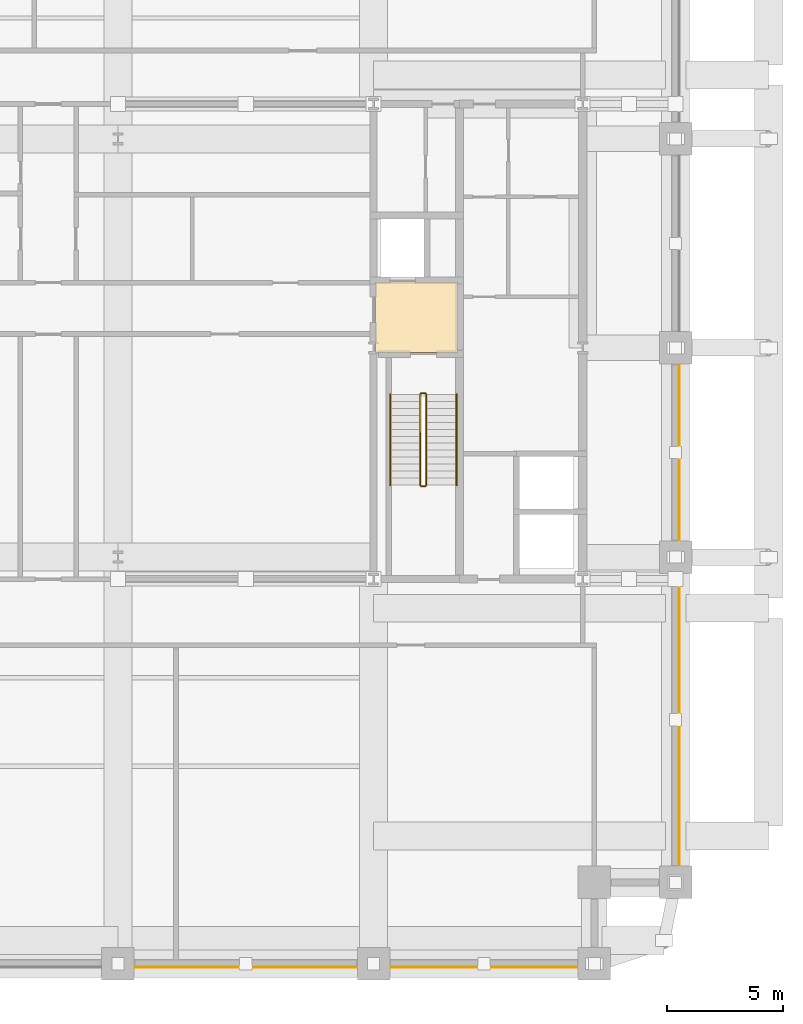
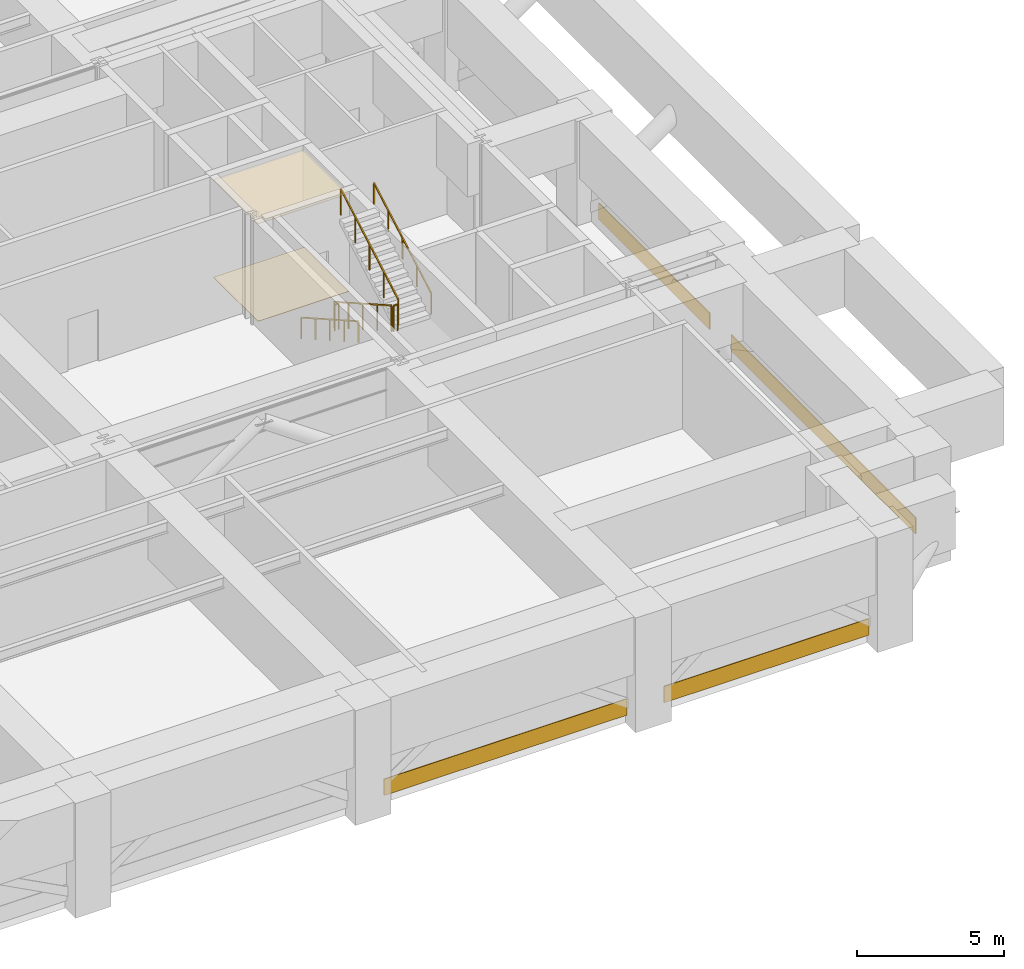
# One storey, part 9 of 10: 6 coverings, 6 railings.
"""IFC4 building model written with IfcOpenShell, lengths in metres."""

import ifcopenshell
import ifcopenshell.guid

model = None  # the IFC model being written
_history = None  # IfcOwnerHistory: only IFC2X3 demands one
_inside = {}  # id of a spatial element -> (the spatial element, [elements in it])
_under = {}  # id of a project, library or spatial element -> (it, [spatial elements below it])
_declared = {}  # id of a project -> (the project, [libraries it declares])
_typed = {}  # id of a type object -> (the type object, [elements of that type])
_made_of = {}  # id of a material, layer set ... -> (it, [elements and type objects made of it])


def new_model(schema):
    """Start an empty IFC model of exactly this schema.

    Asked for "IFC4X3", IfcOpenShell would pick the latest addendum, in which some entities
    have other attributes; the version numbers below select the first issue.
    IFC2X3 requires an IfcOwnerHistory on every rooted entity: one is made here for all.
    """
    global model, _history
    if schema == "IFC4X3":
        model = ifcopenshell.file(schema_version=(4, 3, 0, 0))
    else:
        model = ifcopenshell.file(schema=schema)
    _inside.clear()
    _under.clear()
    _declared.clear()
    _typed.clear()
    _made_of.clear()
    _history = None
    if model.schema == "IFC2X3":
        org = make("IfcOrganization", Name="unknown")
        user = make(
            "IfcPersonAndOrganization",
            ThePerson=make("IfcPerson", FamilyName="unknown"),
            TheOrganization=org,
        )
        app = make(
            "IfcApplication",
            ApplicationDeveloper=org,
            Version="unknown",
            ApplicationFullName="unknown",
            ApplicationIdentifier="unknown",
        )
        _history = make(
            "IfcOwnerHistory",
            OwningUser=user,
            OwningApplication=app,
            ChangeAction="ADDED",
            CreationDate=0,
        )
    return model


def make(cls, **values):
    """One entity of the class cls with the attributes given. An attribute that is None is left unset."""
    return model.create_entity(
        cls, **{name: value for name, value in values.items() if value is not None}
    )


def rooted(cls, **values):
    """An entity with a GlobalId (a new one), such as an element, a storey or a relation."""
    return make(cls, GlobalId=ifcopenshell.guid.new(), OwnerHistory=_history, **values)


def si_unit(unit_type, name, prefix=None):
    """IfcSIUnit, for example si_unit("LENGTHUNIT", "METRE", prefix="MILLI")."""
    return make("IfcSIUnit", UnitType=unit_type, Prefix=prefix, Name=name)


def assignment(units):
    """IfcUnitAssignment: the units of a project."""
    return None if units is None else make("IfcUnitAssignment", Units=units)


def point(xyz):
    """IfcCartesianPoint."""
    return None if xyz is None else make("IfcCartesianPoint", Coordinates=xyz)


def direction(xyz):
    """IfcDirection."""
    return None if xyz is None else make("IfcDirection", DirectionRatios=xyz)


def frame(location, z_axis=None, x_axis=None):
    """IfcAxis2Placement3D, a coordinate frame: its origin and axes. An axis left out is left unset."""
    return make(
        "IfcAxis2Placement3D",
        Location=point(location),
        Axis=direction(z_axis),
        RefDirection=direction(x_axis),
    )


def frame_2d(location, x_axis=None):
    """IfcAxis2Placement2D, a coordinate frame in the plane: its origin and x axis."""
    return make(
        "IfcAxis2Placement2D", Location=point(location), RefDirection=direction(x_axis)
    )


def origin():
    """The frame at (0, 0, 0) with its axes left unset."""
    return frame((0.0, 0.0, 0.0))


def origin_2d():
    """The frame at (0, 0) in the plane with its x axis left unset."""
    return frame_2d((0.0, 0.0))


def place(relative_to, where):
    """IfcLocalPlacement: puts the frame where relative to a parent placement (None: the world)."""
    return make(
        "IfcLocalPlacement", PlacementRelTo=relative_to, RelativePlacement=where
    )


def context(
    kind, dimensions, precision=None, world=None, true_north=None, identifier=None
):
    """IfcGeometricRepresentationContext, for example the 3D "Model" context."""
    return make(
        "IfcGeometricRepresentationContext",
        ContextIdentifier=identifier,
        ContextType=kind,
        CoordinateSpaceDimension=dimensions,
        Precision=precision,
        WorldCoordinateSystem=world,
        TrueNorth=true_north,
    )


def subcontext(parent, identifier, kind, view, scale=None):
    """IfcGeometricRepresentationSubContext, for example "Body" below "Model"."""
    return make(
        "IfcGeometricRepresentationSubContext",
        ContextIdentifier=identifier,
        ContextType=kind,
        ParentContext=parent,
        TargetScale=scale,
        TargetView=view,
    )


def project(units=None, contexts=None):
    """IfcProject with its units and contexts."""
    return rooted(
        "IfcProject",
        Name="project",
        RepresentationContexts=contexts,
        UnitsInContext=assignment(units),
    )


def spatial(cls, under=None, at=None, **own):
    """A site, building, storey or space (cls), placed at a placement, below another one or the project."""
    s = rooted(cls, ObjectPlacement=at, **own)
    if under is not None:
        _under.setdefault(under.id(), (under, []))[1].append(s)
    return s


def polyline(points):
    """IfcPolyline through the points."""
    return make("IfcPolyline", Points=[point(p) for p in points])


def profile(cls, at=None, kind="AREA", **sizes):
    """A parametric profile (cls). Its sizes go by their IFC names, for example OverallWidth=200.0."""
    return make(cls, ProfileType=kind, Position=at, **sizes)


def rectangle(**sizes):
    """IfcRectangleProfileDef."""
    return profile("IfcRectangleProfileDef", **sizes)


def outline(outer, holes=None, kind="AREA"):
    """IfcArbitraryClosedProfileDef: a profile drawn as a closed curve; with holes, ...WithVoids."""
    if holes is None:
        return make("IfcArbitraryClosedProfileDef", ProfileType=kind, OuterCurve=outer)
    return make(
        "IfcArbitraryProfileDefWithVoids",
        ProfileType=kind,
        OuterCurve=outer,
        InnerCurves=holes,
    )


def extrude(swept, where, along, depth):
    """IfcExtrudedAreaSolid: the profile swept, set in the frame where, extruded along a direction by depth."""
    return make(
        "IfcExtrudedAreaSolid",
        SweptArea=swept,
        Position=where,
        ExtrudedDirection=direction(along),
        Depth=depth,
    )


def shape(context_of_items, identifier, shape_type, items):
    """IfcShapeRepresentation: the items that make up one representation, for example the "Body"."""
    return make(
        "IfcShapeRepresentation",
        ContextOfItems=context_of_items,
        RepresentationIdentifier=identifier,
        RepresentationType=shape_type,
        Items=items,
    )


def material(Name=None, Category=None):
    """IfcMaterial."""
    return make("IfcMaterial", Name=Name, Category=Category)


def layer(
    of_material, thickness, ventilated=None, Name=None, Category=None, Priority=None
):
    """IfcMaterialLayer: one layer of a wall or slab, of a material (None: an air gap)."""
    return make(
        "IfcMaterialLayer",
        Material=of_material,
        LayerThickness=thickness,
        IsVentilated=ventilated,
        Name=Name,
        Category=Category,
        Priority=Priority,
    )


def layer_set(layers, Name=None):
    """IfcMaterialLayerSet."""
    return make("IfcMaterialLayerSet", MaterialLayers=layers, LayerSetName=Name)


def made_of(thing, what):
    """Note that an element or type object is made of a material, layer set ...; save() writes the relation."""
    if what is not None:
        _made_of.setdefault(what.id(), (what, []))[1].append(thing)
    return thing


def type_object(cls, material=None, **own):
    """A type object (cls), such as IfcWallType, which elements share."""
    return made_of(rooted(cls, **own), material)


def element(
    cls,
    number,
    at=None,
    inside=None,
    cuts=None,
    type_object=None,
    material=None,
    context=None,
    identifier="Body",
    shape_type=None,
    held_by="IfcProductDefinitionShape",
    body=None,
    shapes=None,
    **own,
):
    """One element of the class cls, such as IfcWall. Its Tag is "e" and its number.

    at: its placement. inside: the storey or other place that contains it. cuts: it is an
    opening in that element (IfcRelVoidsElement). A single representation is given by context,
    identifier, shape_type and body (its items); several are given by shapes. held_by: the class
    of the entity that holds the representations. save() writes the other relations.
    """
    e = rooted(cls, Tag="e%d" % number, ObjectPlacement=at, **own)
    if body is not None:
        shapes = [shape(context, identifier, shape_type, body)]
    if shapes is not None:
        e.Representation = make(held_by, Representations=shapes)
    if inside is not None:
        _inside.setdefault(inside.id(), (inside, []))[1].append(e)
    if cuts is not None:
        rooted(
            "IfcRelVoidsElement", RelatingBuildingElement=cuts, RelatedOpeningElement=e
        )
    if type_object is not None:
        _typed.setdefault(type_object.id(), (type_object, []))[1].append(e)
    return made_of(e, material)


def aggregate(whole, parts):
    """IfcRelAggregates: a whole, such as a stair, and the parts it consists of."""
    return rooted("IfcRelAggregates", RelatingObject=whole, RelatedObjects=parts)


def save(model, path):
    """Write the relations noted so far, then the file.

    IfcRelAggregates (storeys below a building ...), IfcRelContainedInSpatialStructure (elements
    in a storey), IfcRelDefinesByType, IfcRelAssociatesMaterial and IfcRelDeclares: one each for
    every whole, place, type object, material and project.
    """
    for whole, parts in _under.values():
        aggregate(whole, parts)
    for where, things in _inside.values():
        rooted(
            "IfcRelContainedInSpatialStructure",
            RelatedElements=things,
            RelatingStructure=where,
        )
    for kind, things in _typed.values():
        rooted("IfcRelDefinesByType", RelatedObjects=things, RelatingType=kind)
    for what, things in _made_of.values():
        rooted("IfcRelAssociatesMaterial", RelatedObjects=things, RelatingMaterial=what)
    for by, libraries in _declared.values():
        rooted("IfcRelDeclares", RelatingContext=by, RelatedDefinitions=libraries)
    model.write(path)


model = new_model("IFC4")

# Units and contexts
model_context = context("Model", 3, precision=1e-05, world=origin(), true_north=direction((0.0, 1.0)))
body_context = subcontext(model_context, "Body", "Model", "MODEL_VIEW")
ifc_project = project(units=[si_unit("LENGTHUNIT", "METRE"), si_unit("AREAUNIT", "SQUARE_METRE"), si_unit("VOLUMEUNIT", "CUBIC_METRE"), si_unit("PLANEANGLEUNIT", "RADIAN"), si_unit("MASSUNIT", "GRAM", prefix="KILO")], contexts=[model_context])

# Site, building, storey
site_placement = place(None, origin())
site = spatial("IfcSite", under=ifc_project, at=site_placement, CompositionType="ELEMENT")
building_placement = place(site_placement, origin())
building = spatial("IfcBuilding", under=site, at=building_placement, Name="Zulmaris Gate Convention Tower", CompositionType="ELEMENT")
storey_placement = place(building_placement, frame((0.0, 0.0, 82.179931640625)))
storey = spatial("IfcBuildingStorey", under=building, at=storey_placement, Name="L20", CompositionType="ELEMENT", Elevation=82.179931640625)

# Coverings
ifc_material_1 = material(Name="Precast concrete C40/50", Category="concrete")
ifc_layer_1 = layer(ifc_material_1, 0.0400390625, Name="Precast concrete C40/50")
ifc_layer_set_1 = layer_set([ifc_layer_1], Name="Precast concrete C40/50")
covering_type_1 = type_object("IfcCoveringType", Name="CLAD-SPANDREL-PRECAST", PredefinedType="CLADDING", material=ifc_layer_set_1)
covering_1_placement = place(storey_placement, frame((0.72998046875, -26.64990234375, 0.0), z_axis=(0.0, 0.0, 1.0), x_axis=(1.0, 0.0, 0.0)))
element("IfcCovering", 1, at=covering_1_placement, inside=storey, type_object=covering_type_1, Name="CLD-L20-S-2_0", PredefinedType="CLADDING", context=body_context, shape_type="SweptSolid", body=[
    extrude(rectangle(XDim=9.5400390625, YDim=0.0400390625, at=frame_2d((4.77001953125, 0.0))), origin(), (0.0, 0.0, 1.0), 0.679931640625),
])
covering_2_placement = place(storey_placement, frame((11.72998046875, -26.64990234375, 0.0), z_axis=(0.0, 0.0, 1.0), x_axis=(1.0, 0.0, 0.0)))
element("IfcCovering", 2, at=covering_2_placement, inside=storey, type_object=covering_type_1, Name="CLD-L20-S-3_0", PredefinedType="CLADDING", context=body_context, shape_type="SweptSolid", body=[
    extrude(rectangle(XDim=8.0400390625, YDim=0.0400390625, at=frame_2d((4.02001953125, 0.0))), origin(), (0.0, 0.0, 1.0), 0.679931640625),
])
covering_3_placement = place(storey_placement, frame((24.14990234375, -22.27001953125, 0.0), z_axis=(0.0, 0.0, 1.0), x_axis=(0.0, 1.0, 0.0)))
element("IfcCovering", 3, at=covering_3_placement, inside=storey, type_object=covering_type_1, Name="CLD-L20-E-0_0", PredefinedType="CLADDING", context=body_context, shape_type="SweptSolid", body=[
    extrude(rectangle(XDim=12.5400390625, YDim=0.0400390625, at=frame_2d((6.27001953125, 0.0))), origin(), (0.0, 0.0, 1.0), 0.679931640625),
])
covering_4_placement = place(storey_placement, frame((24.14990234375, -8.27001953125, 0.0), z_axis=(0.0, 0.0, 1.0), x_axis=(0.0, 1.0, 0.0)))
element("IfcCovering", 4, at=covering_4_placement, inside=storey, type_object=covering_type_1, Name="CLD-L20-E-1_0", PredefinedType="CLADDING", context=body_context, shape_type="SweptSolid", body=[
    extrude(rectangle(XDim=7.5400390625, YDim=0.0400390625, at=frame_2d((3.77001953125, 0.0))), origin(), (0.0, 0.0, 1.0), 0.679931640625),
])
ifc_material_2 = material(Name="Mineral Fibre Acoustic Ceiling Tile")
ifc_layer_2 = layer(ifc_material_2, 0.02001953125, Name="Mineral Fibre Acoustic Ceiling Tile")
ifc_layer_set_2 = layer_set([ifc_layer_2], Name="Mineral Fibre Acoustic Ceiling Tile")
covering_type_2 = type_object("IfcCoveringType", Name="CLG-ACOUSTIC-600", PredefinedType="CEILING", material=ifc_layer_set_2)
covering_5_placement = place(storey_placement, frame((0.0, 0.0, 4.054931640625)))
element("IfcCovering", 5, at=covering_5_placement, inside=storey, type_object=covering_type_2, Name="CLG-L20-R08", PredefinedType="CEILING", context=body_context, shape_type="SweptSolid", body=[
    extrude(outline(polyline([(11.06005859375, -0.18994140625), (14.639892578125, -0.18994140625), (14.639892578125, 2.840087890625), (11.06005859375, 2.840087890625), (11.06005859375, -0.18994140625)])), origin(), (0.0, 0.0, 1.0), 0.02001953125),
])
ifc_material_3 = material(Name="Woven Acoustic Wool Carpet Tile")
ifc_layer_3 = layer(ifc_material_3, 0.02001953125, Name="Woven Acoustic Wool Carpet Tile")
ifc_layer_set_3 = layer_set([ifc_layer_3], Name="Woven Acoustic Wool Carpet Tile")
covering_type_3 = type_object("IfcCoveringType", Name="FLR-CARPET-12", PredefinedType="FLOORING", material=ifc_layer_set_3)
covering_6_placement = place(storey_placement, origin())
element("IfcCovering", 6, at=covering_6_placement, inside=storey, type_object=covering_type_3, Name="FLR-L20-R08", PredefinedType="FLOORING", context=body_context, shape_type="SweptSolid", body=[
    extrude(outline(polyline([(11.06005859375, -0.18994140625), (14.639892578125, -0.18994140625), (14.639892578125, 2.840087890625), (11.06005859375, 2.840087890625), (11.06005859375, -0.18994140625)])), origin(), (0.0, 0.0, 1.0), 0.02001953125),
])

# Railings
ifc_material_4 = material(Name="Painted Galvanised Steel", Category="steel")
railing_type_1 = type_object("IfcRailingType", Name="RL-STG-1150", PredefinedType="GUARDRAIL", material=ifc_material_4)
railing_1_placement = place(storey_placement, frame((13.010009765625, -2.0, 0.169921875)))
element("IfcRailing", 7, at=railing_1_placement, inside=storey, type_object=railing_type_1, Name="L20 ST-2 stair guard 1", PredefinedType="GUARDRAIL", context=body_context, shape_type="SweptSolid", body=[
    extrude(rectangle(XDim=0.048095703125, YDim=0.048095703125, at=origin_2d()), frame((0.0, 0.0, 1.076171875), z_axis=(0.0, -0.870020628399, 0.493015320412), x_axis=(1.0, 0.0, 0.0)), (0.0, 0.0, 1.0), 4.482421875),
    extrude(rectangle(XDim=0.0419921875, YDim=0.0419921875, at=origin_2d()), origin(), (0.0, 0.0, 1.0), 1.052001953125),
    extrude(rectangle(XDim=0.0419921875, YDim=0.0419921875, at=origin_2d()), frame((0.0, -0.97509765625, 0.552490234375)), (0.0, 0.0, 1.0), 1.052001953125),
    extrude(rectangle(XDim=0.0419921875, YDim=0.0419921875, at=origin_2d()), frame((0.0, -1.949951171875, 1.10498046875)), (0.0, 0.0, 1.0), 1.052001953125),
    extrude(rectangle(XDim=0.0419921875, YDim=0.0419921875, at=origin_2d()), frame((0.0, -2.9248046875, 1.657470703125)), (0.0, 0.0, 1.0), 1.052001953125),
    extrude(rectangle(XDim=0.0419921875, YDim=0.0419921875, at=origin_2d()), frame((0.0, -3.89990234375, 2.2099609375)), (0.0, 0.0, 1.0), 1.052001953125),
])
railing_2_placement = place(storey_placement, frame((13.06005859375, -5.949951171875, 2.3798828125)))
element("IfcRailing", 8, at=railing_2_placement, inside=storey, type_object=railing_type_1, Name="L20 ST-2 stair guard 2", PredefinedType="GUARDRAIL", context=body_context, shape_type="SweptSolid", body=[
    extrude(rectangle(XDim=0.048095703125, YDim=0.048095703125, at=origin_2d()), frame((0.0, 0.0, 1.076171875), z_axis=(1.0, 0.0, 0.0), x_axis=(0.0, 1.0, 0.0)), (0.0, 0.0, 1.0), 0.159912109375),
    extrude(rectangle(XDim=0.0419921875, YDim=0.0419921875, at=origin_2d()), origin(), (0.0, 0.0, 1.0), 1.052001953125),
    extrude(rectangle(XDim=0.0419921875, YDim=0.0419921875, at=origin_2d()), frame((0.159912109375, 0.0, 0.0)), (0.0, 0.0, 1.0), 1.052001953125),
])
railing_3_placement = place(storey_placement, frame((13.27001953125, -5.89990234375, 2.550048828125)))
element("IfcRailing", 9, at=railing_3_placement, inside=storey, type_object=railing_type_1, Name="L20 ST-2 stair guard 3", PredefinedType="GUARDRAIL", context=body_context, shape_type="SweptSolid", body=[
    extrude(rectangle(XDim=0.048095703125, YDim=0.048095703125, at=origin_2d()), frame((0.0, 0.0, 1.076171875), z_axis=(0.0, 0.870020628399, 0.493015320412), x_axis=(-1.0, 0.0, 0.0)), (0.0, 0.0, 1.0), 4.482421875),
    extrude(rectangle(XDim=0.0419921875, YDim=0.0419921875, at=origin_2d()), origin(), (0.0, 0.0, 1.0), 1.052001953125),
    extrude(rectangle(XDim=0.0419921875, YDim=0.0419921875, at=origin_2d()), frame((0.0, 0.97509765625, 0.552490234375)), (0.0, 0.0, 1.0), 1.052001953125),
    extrude(rectangle(XDim=0.0419921875, YDim=0.0419921875, at=origin_2d()), frame((0.0, 1.949951171875, 1.10498046875)), (0.0, 0.0, 1.0), 1.052001953125),
    extrude(rectangle(XDim=0.0419921875, YDim=0.0419921875, at=origin_2d()), frame((0.0, 2.9248046875, 1.657470703125)), (0.0, 0.0, 1.0), 1.052001953125),
    extrude(rectangle(XDim=0.0419921875, YDim=0.0419921875, at=origin_2d()), frame((0.0, 3.89990234375, 2.2099609375)), (0.0, 0.0, 1.0), 1.052001953125),
])
railing_4_placement = place(storey_placement, frame((13.06005859375, -1.949951171875, 0.0)))
element("IfcRailing", 10, at=railing_4_placement, inside=storey, type_object=railing_type_1, Name="L20 ST-2 stair guard 4", PredefinedType="GUARDRAIL", context=body_context, shape_type="SweptSolid", body=[
    extrude(rectangle(XDim=0.048095703125, YDim=0.048095703125, at=origin_2d()), frame((0.0, 0.0, 1.076171875), z_axis=(1.0, 0.0, 0.0), x_axis=(0.0, 1.0, 0.0)), (0.0, 0.0, 1.0), 0.159912109375),
    extrude(rectangle(XDim=0.0419921875, YDim=0.0419921875, at=origin_2d()), origin(), (0.0, 0.0, 1.0), 1.052001953125),
    extrude(rectangle(XDim=0.0419921875, YDim=0.0419921875, at=origin_2d()), frame((0.159912109375, 0.0, 0.0)), (0.0, 0.0, 1.0), 1.052001953125),
])
ifc_material_5 = material(Name="Brushed Stainless Steel", Category="steel")
railing_type_2 = type_object("IfcRailingType", Name="RL-STH-900", PredefinedType="HANDRAIL", material=ifc_material_5)
railing_5_placement = place(storey_placement, frame((11.7099609375, -2.0, 0.169921875)))
element("IfcRailing", 11, at=railing_5_placement, inside=storey, type_object=railing_type_2, Name="L20 ST-2 stair handrail 1", PredefinedType="HANDRAIL", context=body_context, shape_type="SweptSolid", body=[
    extrude(rectangle(XDim=0.048095703125, YDim=0.048095703125, at=origin_2d()), frame((0.0, 0.0, 0.8759765625), z_axis=(0.0, -0.870020628399, 0.493015320412), x_axis=(1.0, 0.0, 0.0)), (0.0, 0.0, 1.0), 4.482421875),
    extrude(rectangle(XDim=0.0419921875, YDim=0.0419921875, at=origin_2d()), origin(), (0.0, 0.0, 1.0), 0.851806640625),
    extrude(rectangle(XDim=0.0419921875, YDim=0.0419921875, at=origin_2d()), frame((0.0, -0.97509765625, 0.552490234375)), (0.0, 0.0, 1.0), 0.851806640625),
    extrude(rectangle(XDim=0.0419921875, YDim=0.0419921875, at=origin_2d()), frame((0.0, -1.949951171875, 1.10498046875)), (0.0, 0.0, 1.0), 0.851806640625),
    extrude(rectangle(XDim=0.0419921875, YDim=0.0419921875, at=origin_2d()), frame((0.0, -2.9248046875, 1.657470703125)), (0.0, 0.0, 1.0), 0.851806640625),
    extrude(rectangle(XDim=0.0419921875, YDim=0.0419921875, at=origin_2d()), frame((0.0, -3.89990234375, 2.2099609375)), (0.0, 0.0, 1.0), 0.851806640625),
])
railing_6_placement = place(storey_placement, frame((14.570068359375, -5.89990234375, 2.550048828125)))
element("IfcRailing", 12, at=railing_6_placement, inside=storey, type_object=railing_type_2, Name="L20 ST-2 stair handrail 2", PredefinedType="HANDRAIL", context=body_context, shape_type="SweptSolid", body=[
    extrude(rectangle(XDim=0.048095703125, YDim=0.048095703125, at=origin_2d()), frame((0.0, 0.0, 0.8759765625), z_axis=(0.0, 0.870020628399, 0.493015320412), x_axis=(-1.0, 0.0, 0.0)), (0.0, 0.0, 1.0), 4.482421875),
    extrude(rectangle(XDim=0.0419921875, YDim=0.0419921875, at=origin_2d()), origin(), (0.0, 0.0, 1.0), 0.851806640625),
    extrude(rectangle(XDim=0.0419921875, YDim=0.0419921875, at=origin_2d()), frame((0.0, 0.97509765625, 0.552490234375)), (0.0, 0.0, 1.0), 0.851806640625),
    extrude(rectangle(XDim=0.0419921875, YDim=0.0419921875, at=origin_2d()), frame((0.0, 1.949951171875, 1.10498046875)), (0.0, 0.0, 1.0), 0.851806640625),
    extrude(rectangle(XDim=0.0419921875, YDim=0.0419921875, at=origin_2d()), frame((0.0, 2.9248046875, 1.657470703125)), (0.0, 0.0, 1.0), 0.851806640625),
    extrude(rectangle(XDim=0.0419921875, YDim=0.0419921875, at=origin_2d()), frame((0.0, 3.89990234375, 2.2099609375)), (0.0, 0.0, 1.0), 0.851806640625),
])

save(model, "model.ifc")
